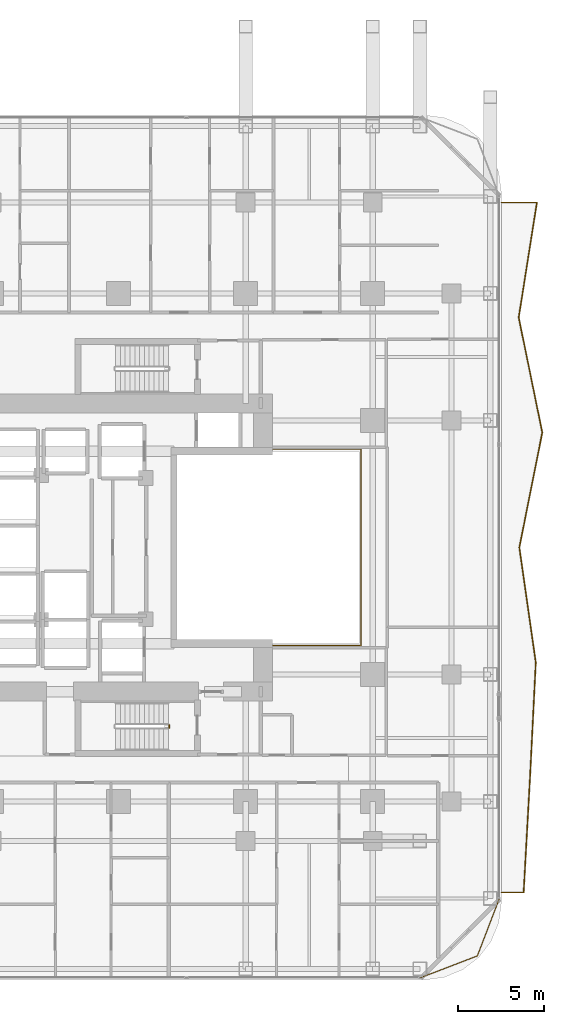
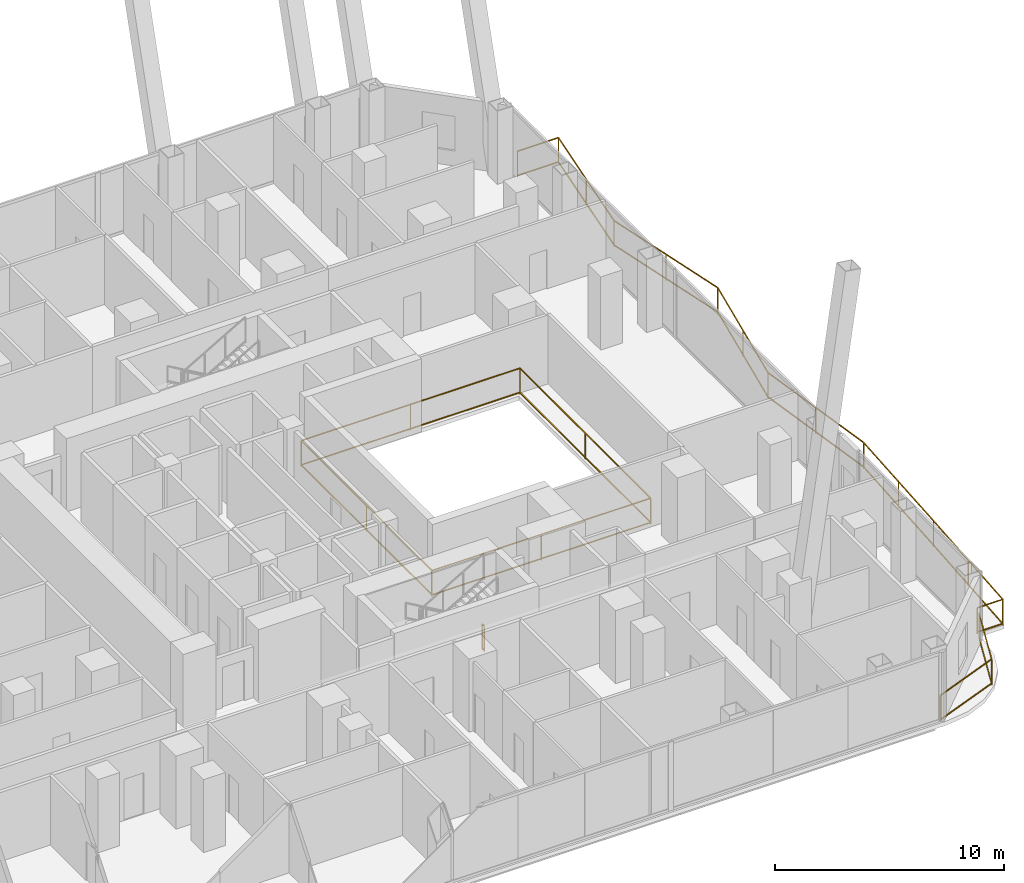
# One storey, part 31 of 33: 4 railings.
"""IFC4 building model written with IfcOpenShell, lengths in metres."""

from ifc_helpers import new_model, si_unit, direction, frame, origin, origin_2d, place, context, subcontext, project, spatial, rectangle, extrude, material, type_object, element, save


model = new_model("IFC4")

# Units and contexts
model_context = context("Model", 3, precision=1e-05, world=origin(), true_north=direction((0.0, 1.0)))
body_context = subcontext(model_context, "Body", "Model", "MODEL_VIEW")
ifc_project = project(units=[si_unit("LENGTHUNIT", "METRE"), si_unit("AREAUNIT", "SQUARE_METRE"), si_unit("VOLUMEUNIT", "CUBIC_METRE"), si_unit("PLANEANGLEUNIT", "RADIAN"), si_unit("MASSUNIT", "GRAM", prefix="KILO")], contexts=[model_context])

# Site, building, storey
site_placement = place(None, origin())
site = spatial("IfcSite", under=ifc_project, at=site_placement, CompositionType="ELEMENT")
building_placement = place(site_placement, origin())
building = spatial("IfcBuilding", under=site, at=building_placement, Name="Khorvyn Point Tower", CompositionType="ELEMENT")
storey_placement = place(building_placement, frame((0.0, 0.0, 65.699951171875)))
storey = spatial("IfcBuildingStorey", under=building, at=storey_placement, Name="L17", CompositionType="ELEMENT", Elevation=65.699951171875)

# Railings
ifc_material_1 = material(Name="Stainless steel 1.4401 and laminated glass", Category="steel")
railing_type_1 = type_object("IfcRailingType", Name="Crystal Atrium Smoke-Rated Perimeter Guardrail 1400", PredefinedType="GUARDRAIL", material=ifc_material_1)
railing_1_placement = place(storey_placement, frame((3.080078125, -5.719970703125, 0.0)))
element("IfcRailing", 1, at=railing_1_placement, inside=storey, type_object=railing_type_1, Name="L17 Crystal Atrium Perimeter Guardrail", PredefinedType="GUARDRAIL", context=body_context, shape_type="SweptSolid", body=[
    extrude(rectangle(XDim=0.048095703125, YDim=0.048095703125, at=origin_2d()), frame((0.0, 0.0, 1.3759765625), z_axis=(1.0, 0.0, 0.0), x_axis=(0.0, 1.0, 0.0)), (0.0, 0.0, 1.0), 11.0400390625),
    extrude(rectangle(XDim=0.048095703125, YDim=0.048095703125, at=origin_2d()), frame((0.0, 0.0, 0.080078125), z_axis=(1.0, 0.0, 0.0), x_axis=(0.0, 1.0, 0.0)), (0.0, 0.0, 1.0), 11.0400390625),
    extrude(rectangle(XDim=0.048095703125, YDim=0.048095703125, at=origin_2d()), frame((11.0400390625, 0.0, 1.3759765625), z_axis=(0.0, 1.0, 0.0), x_axis=(-1.0, 0.0, 0.0)), (0.0, 0.0, 1.0), 11.43994140625),
    extrude(rectangle(XDim=0.048095703125, YDim=0.048095703125, at=origin_2d()), frame((11.0400390625, 0.0, 0.080078125), z_axis=(0.0, 1.0, 0.0), x_axis=(-1.0, 0.0, 0.0)), (0.0, 0.0, 1.0), 11.43994140625),
    extrude(rectangle(XDim=0.048095703125, YDim=0.048095703125, at=origin_2d()), frame((11.0400390625, 11.43994140625, 1.3759765625), z_axis=(-1.0, 0.0, 0.0), x_axis=(0.0, -1.0, 0.0)), (0.0, 0.0, 1.0), 11.0400390625),
    extrude(rectangle(XDim=0.048095703125, YDim=0.048095703125, at=origin_2d()), frame((11.0400390625, 11.43994140625, 0.080078125), z_axis=(-1.0, 0.0, 0.0), x_axis=(0.0, -1.0, 0.0)), (0.0, 0.0, 1.0), 11.0400390625),
    extrude(rectangle(XDim=0.048095703125, YDim=0.048095703125, at=origin_2d()), frame((0.0, 11.43994140625, 1.3759765625), z_axis=(0.0, -1.0, 0.0), x_axis=(1.0, 0.0, 0.0)), (0.0, 0.0, 1.0), 11.409912109375),
    extrude(rectangle(XDim=0.048095703125, YDim=0.048095703125, at=origin_2d()), frame((0.0, 11.43994140625, 0.080078125), z_axis=(0.0, -1.0, 0.0), x_axis=(1.0, 0.0, 0.0)), (0.0, 0.0, 1.0), 11.409912109375),
    extrude(rectangle(XDim=0.0419921875, YDim=0.0419921875, at=origin_2d()), origin(), (0.0, 0.0, 1.0), 1.351806640625),
    extrude(rectangle(XDim=0.0419921875, YDim=0.0419921875, at=origin_2d()), frame((5.52001953125, 0.0, 0.0)), (0.0, 0.0, 1.0), 1.351806640625),
    extrude(rectangle(XDim=0.0419921875, YDim=0.0419921875, at=origin_2d()), frame((11.0400390625, 0.0, 0.0)), (0.0, 0.0, 1.0), 1.351806640625),
    extrude(rectangle(XDim=0.0419921875, YDim=0.0419921875, at=origin_2d()), frame((11.0400390625, 5.719970703125, 0.0)), (0.0, 0.0, 1.0), 1.351806640625),
    extrude(rectangle(XDim=0.0419921875, YDim=0.0419921875, at=origin_2d()), frame((11.0400390625, 11.43994140625, 0.0)), (0.0, 0.0, 1.0), 1.351806640625),
    extrude(rectangle(XDim=0.0419921875, YDim=0.0419921875, at=origin_2d()), frame((5.52001953125, 11.43994140625, 0.0)), (0.0, 0.0, 1.0), 1.351806640625),
    extrude(rectangle(XDim=0.0419921875, YDim=0.0419921875, at=origin_2d()), frame((0.0, 11.43994140625, 0.0)), (0.0, 0.0, 1.0), 1.351806640625),
    extrude(rectangle(XDim=0.0419921875, YDim=0.0419921875, at=origin_2d()), frame((0.0, 5.73486328125, 0.0)), (0.0, 0.0, 1.0), 1.351806640625),
    extrude(rectangle(XDim=0.0419921875, YDim=0.0419921875, at=origin_2d()), frame((0.0, 0.030029296875, 0.0)), (0.0, 0.0, 1.0), 1.351806640625),
])
ifc_material_2 = material(Name="Anodised aluminium 6063-T6 and laminated safety glass", Category="aluminium")
railing_type_2 = type_object("IfcRailingType", Name="Laminated Glass and Aluminium Balcony Guardrail 1400", PredefinedType="BALUSTRADE", material=ifc_material_2)
railing_2_placement = place(storey_placement, frame((17.57080078125, -25.073974609375, 0.0)))
element("IfcRailing", 2, at=railing_2_placement, inside=storey, type_object=railing_type_2, Name="L17 Rounded Corner Edge Guardrail SE", PredefinedType="BALUSTRADE", context=body_context, shape_type="SweptSolid", body=[
    extrude(rectangle(XDim=0.048095703125, YDim=0.048095703125, at=origin_2d()), frame((0.0, 0.0, 1.3759765625), z_axis=(0.933583807283, 0.358359142172, 0.0), x_axis=(-0.358359142172, 0.933583807283, 0.0)), (0.0, 0.0, 1.0), 3.56298828125),
    extrude(rectangle(XDim=0.048095703125, YDim=0.048095703125, at=origin_2d()), frame((0.0, 0.0, 0.080078125), z_axis=(0.933583807283, 0.358359142172, 0.0), x_axis=(-0.358359142172, 0.933583807283, 0.0)), (0.0, 0.0, 1.0), 3.56298828125),
    extrude(rectangle(XDim=0.048095703125, YDim=0.048095703125, at=origin_2d()), frame((3.326416015625, 1.27685546875, 1.3759765625), z_axis=(0.358359142172, 0.933583807283, 0.0), x_axis=(-0.933583807283, 0.358359142172, 0.0)), (0.0, 0.0, 1.0), 3.56298828125),
    extrude(rectangle(XDim=0.048095703125, YDim=0.048095703125, at=origin_2d()), frame((3.326416015625, 1.27685546875, 0.080078125), z_axis=(0.358359142172, 0.933583807283, 0.0), x_axis=(-0.933583807283, 0.358359142172, 0.0)), (0.0, 0.0, 1.0), 3.56298828125),
    extrude(rectangle(XDim=0.0419921875, YDim=0.0419921875, at=origin_2d()), origin(), (0.0, 0.0, 1.0), 1.351806640625),
    extrude(rectangle(XDim=0.0419921875, YDim=0.0419921875, at=origin_2d()), frame((3.326416015625, 1.27685546875, 0.0)), (0.0, 0.0, 1.0), 1.351806640625),
    extrude(rectangle(XDim=0.0419921875, YDim=0.0419921875, at=origin_2d()), frame((4.603271484375, 4.603271484375, 0.0)), (0.0, 0.0, 1.0), 1.351806640625),
])
railing_3_placement = place(storey_placement, frame((22.300048828125, -20.10009765625, 0.0)))
element("IfcRailing", 3, at=railing_3_placement, inside=storey, type_object=railing_type_2, Name="L17 East Balcony Guardrail", PredefinedType="BALUSTRADE", context=body_context, shape_type="SweptSolid", body=[
    extrude(rectangle(XDim=0.048095703125, YDim=0.048095703125, at=origin_2d()), frame((0.0, 0.0, 1.3759765625), z_axis=(1.0, 0.0, 0.0), x_axis=(0.0, 1.0, 0.0)), (0.0, 0.0, 1.0), 1.294921875),
    extrude(rectangle(XDim=0.048095703125, YDim=0.048095703125, at=origin_2d()), frame((0.0, 0.0, 0.080078125), z_axis=(1.0, 0.0, 0.0), x_axis=(0.0, 1.0, 0.0)), (0.0, 0.0, 1.0), 1.294921875),
    extrude(rectangle(XDim=0.048095703125, YDim=0.048095703125, at=origin_2d()), frame((1.294921875, 0.0, 1.3759765625), z_axis=(0.055445839712, 0.99846169624, 0.0), x_axis=(-0.99846169624, 0.055445839713, 0.0)), (0.0, 0.0, 1.0), 6.71044921875),
    extrude(rectangle(XDim=0.048095703125, YDim=0.048095703125, at=origin_2d()), frame((1.294921875, 0.0, 0.080078125), z_axis=(0.055445839712, 0.99846169624, 0.0), x_axis=(-0.99846169624, 0.055445839713, 0.0)), (0.0, 0.0, 1.0), 6.71044921875),
    extrude(rectangle(XDim=0.048095703125, YDim=0.048095703125, at=origin_2d()), frame((1.6669921875, 6.7001953125, 1.3759765625), z_axis=(0.050149985773, 0.998741697801, 0.0), x_axis=(-0.998741697801, 0.050149985773, 0.0)), (0.0, 0.0, 1.0), 6.70849609375),
    extrude(rectangle(XDim=0.048095703125, YDim=0.048095703125, at=origin_2d()), frame((1.6669921875, 6.7001953125, 0.080078125), z_axis=(0.050149985773, 0.998741697801, 0.0), x_axis=(-0.998741697801, 0.050149985773, 0.0)), (0.0, 0.0, 1.0), 6.70849609375),
    extrude(rectangle(XDim=0.048095703125, YDim=0.048095703125, at=origin_2d()), frame((2.00341796875, 13.400146484375, 1.3759765625), z_axis=(-0.141724348985, 0.989906161666, 0.0), x_axis=(-0.989906161666, -0.141724348985, 0.0)), (0.0, 0.0, 1.0), 6.768310546875),
    extrude(rectangle(XDim=0.048095703125, YDim=0.048095703125, at=origin_2d()), frame((2.00341796875, 13.400146484375, 0.080078125), z_axis=(-0.141724348985, 0.989906161666, 0.0), x_axis=(-0.989906161666, -0.141724348985, 0.0)), (0.0, 0.0, 1.0), 6.768310546875),
    extrude(rectangle(XDim=0.048095703125, YDim=0.048095703125, at=origin_2d()), frame((1.044189453125, 20.10009765625, 1.3759765625), z_axis=(0.195717542461, 0.980660309981, 0.0), x_axis=(-0.980660309981, 0.195717542461, 0.0)), (0.0, 0.0, 1.0), 6.83203125),
    extrude(rectangle(XDim=0.048095703125, YDim=0.048095703125, at=origin_2d()), frame((1.044189453125, 20.10009765625, 0.080078125), z_axis=(0.195717542461, 0.980660309981, 0.0), x_axis=(-0.980660309981, 0.195717542461, 0.0)), (0.0, 0.0, 1.0), 6.83203125),
    extrude(rectangle(XDim=0.048095703125, YDim=0.048095703125, at=origin_2d()), frame((2.38134765625, 26.800048828125, 1.3759765625), z_axis=(-0.200898470326, 0.979612068434, 0.0), x_axis=(-0.979612068434, -0.200898470326, 0.0)), (0.0, 0.0, 1.0), 6.83935546875),
    extrude(rectangle(XDim=0.048095703125, YDim=0.048095703125, at=origin_2d()), frame((2.38134765625, 26.800048828125, 0.080078125), z_axis=(-0.200898470326, 0.979612068434, 0.0), x_axis=(-0.979612068434, -0.200898470326, 0.0)), (0.0, 0.0, 1.0), 6.83935546875),
    extrude(rectangle(XDim=0.048095703125, YDim=0.048095703125, at=origin_2d()), frame((1.00732421875, 33.5, 1.3759765625), z_axis=(0.156374689128, 0.987697806315, 0.0), x_axis=(-0.987697806315, 0.156374689128, 0.0)), (0.0, 0.0, 1.0), 6.78369140625),
    extrude(rectangle(XDim=0.048095703125, YDim=0.048095703125, at=origin_2d()), frame((1.00732421875, 33.5, 0.080078125), z_axis=(0.156374689128, 0.987697806315, 0.0), x_axis=(-0.987697806315, 0.156374689128, 0.0)), (0.0, 0.0, 1.0), 6.78369140625),
    extrude(rectangle(XDim=0.048095703125, YDim=0.048095703125, at=origin_2d()), frame((2.068115234375, 40.2001953125, 1.3759765625), z_axis=(-1.0, 0.0, 0.0), x_axis=(0.0, -1.0, 0.0)), (0.0, 0.0, 1.0), 2.068115234375),
    extrude(rectangle(XDim=0.048095703125, YDim=0.048095703125, at=origin_2d()), frame((2.068115234375, 40.2001953125, 0.080078125), z_axis=(-1.0, 0.0, 0.0), x_axis=(0.0, -1.0, 0.0)), (0.0, 0.0, 1.0), 2.068115234375),
    extrude(rectangle(XDim=0.0419921875, YDim=0.0419921875, at=origin_2d()), origin(), (0.0, 0.0, 1.0), 1.351806640625),
    extrude(rectangle(XDim=0.0419921875, YDim=0.0419921875, at=origin_2d()), frame((1.294921875, 0.0, 0.0)), (0.0, 0.0, 1.0), 1.351806640625),
    extrude(rectangle(XDim=0.0419921875, YDim=0.0419921875, at=origin_2d()), frame((1.48095703125, 3.35009765625, 0.0)), (0.0, 0.0, 1.0), 1.351806640625),
    extrude(rectangle(XDim=0.0419921875, YDim=0.0419921875, at=origin_2d()), frame((1.6669921875, 6.7001953125, 0.0)), (0.0, 0.0, 1.0), 1.351806640625),
    extrude(rectangle(XDim=0.0419921875, YDim=0.0419921875, at=origin_2d()), frame((1.835205078125, 10.05029296875, 0.0)), (0.0, 0.0, 1.0), 1.351806640625),
    extrude(rectangle(XDim=0.0419921875, YDim=0.0419921875, at=origin_2d()), frame((2.00341796875, 13.400146484375, 0.0)), (0.0, 0.0, 1.0), 1.351806640625),
    extrude(rectangle(XDim=0.0419921875, YDim=0.0419921875, at=origin_2d()), frame((1.52392578125, 16.75, 0.0)), (0.0, 0.0, 1.0), 1.351806640625),
    extrude(rectangle(XDim=0.0419921875, YDim=0.0419921875, at=origin_2d()), frame((1.044189453125, 20.10009765625, 0.0)), (0.0, 0.0, 1.0), 1.351806640625),
    extrude(rectangle(XDim=0.0419921875, YDim=0.0419921875, at=origin_2d()), frame((1.712890625, 23.4501953125, 0.0)), (0.0, 0.0, 1.0), 1.351806640625),
    extrude(rectangle(XDim=0.0419921875, YDim=0.0419921875, at=origin_2d()), frame((2.38134765625, 26.800048828125, 0.0)), (0.0, 0.0, 1.0), 1.351806640625),
    extrude(rectangle(XDim=0.0419921875, YDim=0.0419921875, at=origin_2d()), frame((1.6943359375, 30.14990234375, 0.0)), (0.0, 0.0, 1.0), 1.351806640625),
    extrude(rectangle(XDim=0.0419921875, YDim=0.0419921875, at=origin_2d()), frame((1.00732421875, 33.5, 0.0)), (0.0, 0.0, 1.0), 1.351806640625),
    extrude(rectangle(XDim=0.0419921875, YDim=0.0419921875, at=origin_2d()), frame((1.53759765625, 36.85009765625, 0.0)), (0.0, 0.0, 1.0), 1.351806640625),
    extrude(rectangle(XDim=0.0419921875, YDim=0.0419921875, at=origin_2d()), frame((2.068115234375, 40.2001953125, 0.0)), (0.0, 0.0, 1.0), 1.351806640625),
    extrude(rectangle(XDim=0.0419921875, YDim=0.0419921875, at=origin_2d()), frame((0.0, 40.2001953125, 0.0)), (0.0, 0.0, 1.0), 1.351806640625),
])
ifc_material_3 = material(Name="Stainless steel 1.4301", Category="steel")
railing_type_3 = type_object("IfcRailingType", Name="Stainless Steel 304 Stair Well Guardrail 1400", PredefinedType="GUARDRAIL", material=ifc_material_3)
railing_4_placement = place(storey_placement, frame((2.949951171875, -10.340087890625, 0.0)))
element("IfcRailing", 4, at=railing_4_placement, inside=storey, type_object=railing_type_3, Name="L17 ST-01 stair guard 4", PredefinedType="GUARDRAIL", context=body_context, shape_type="SweptSolid", body=[
    extrude(rectangle(XDim=0.048095703125, YDim=0.048095703125, at=origin_2d()), frame((0.0, 0.0, 1.3759765625), z_axis=(0.0, -1.0, 0.0), x_axis=(1.0, 0.0, 0.0)), (0.0, 0.0, 1.0), 0.159912109375),
    extrude(rectangle(XDim=0.048095703125, YDim=0.048095703125, at=origin_2d()), frame((0.0, 0.0, 0.080078125), z_axis=(0.0, -1.0, 0.0), x_axis=(1.0, 0.0, 0.0)), (0.0, 0.0, 1.0), 0.159912109375),
    extrude(rectangle(XDim=0.0419921875, YDim=0.0419921875, at=origin_2d()), origin(), (0.0, 0.0, 1.0), 1.351806640625),
    extrude(rectangle(XDim=0.0419921875, YDim=0.0419921875, at=origin_2d()), frame((0.0, -0.159912109375, 0.0)), (0.0, 0.0, 1.0), 1.351806640625),
])

save(model, "model.ifc")
